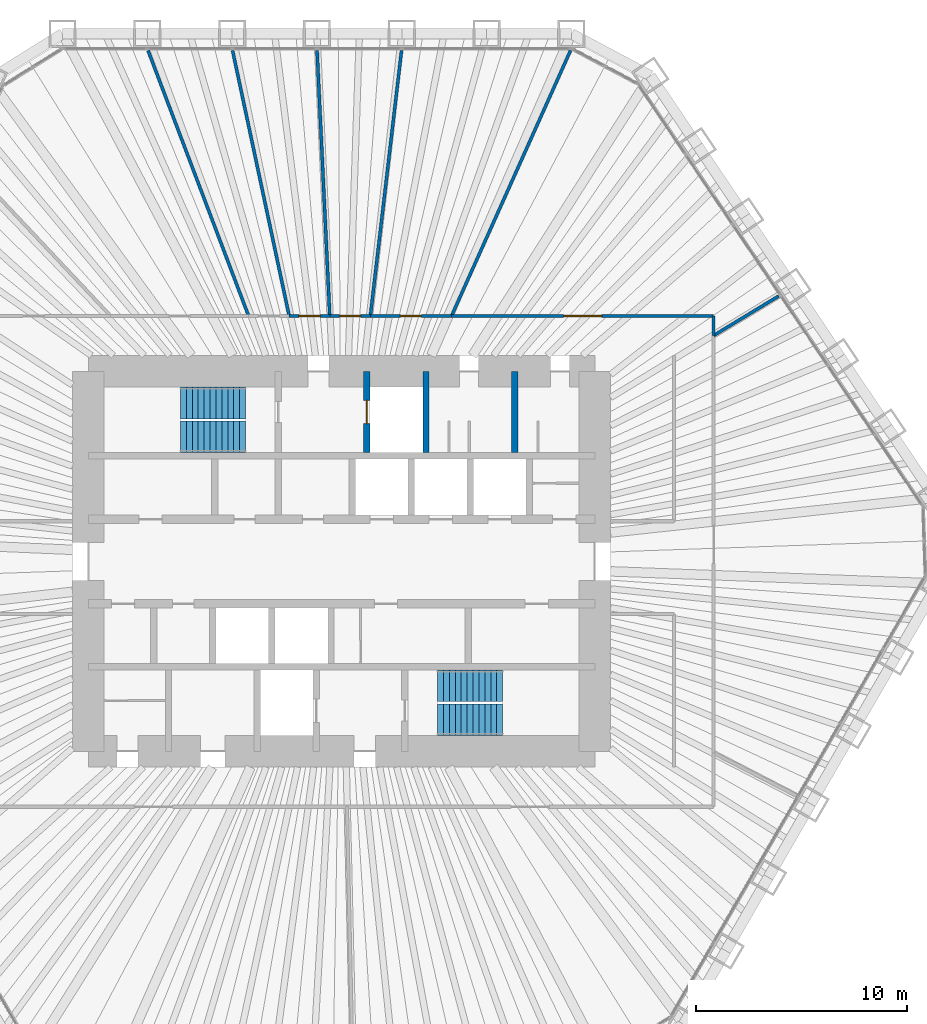
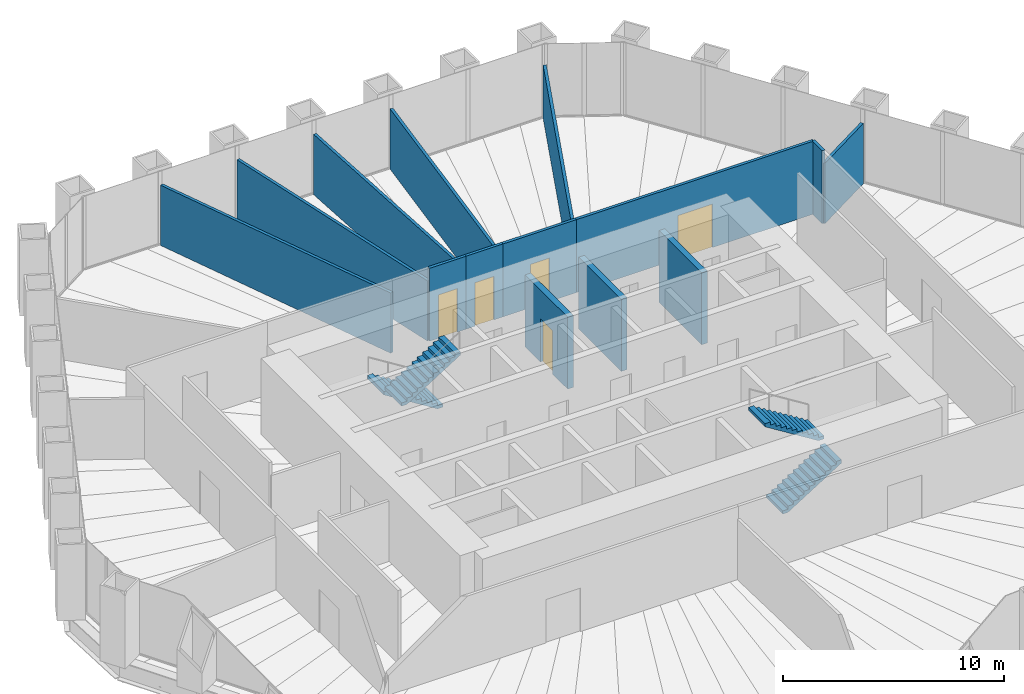
# One storey, part 12 of 13: 14 walls, 5 doors, 4 stair flights, 5 openings, 2 elements without a shape of their own.
"""IFC4 building model written with IfcOpenShell, lengths in metres."""

import ifcopenshell
import ifcopenshell.guid

model = None  # the IFC model being written
_history = None  # IfcOwnerHistory: only IFC2X3 demands one
_inside = {}  # id of a spatial element -> (the spatial element, [elements in it])
_under = {}  # id of a project, library or spatial element -> (it, [spatial elements below it])
_declared = {}  # id of a project -> (the project, [libraries it declares])
_typed = {}  # id of a type object -> (the type object, [elements of that type])
_made_of = {}  # id of a material, layer set ... -> (it, [elements and type objects made of it])


def new_model(schema):
    """Start an empty IFC model of exactly this schema.

    Asked for "IFC4X3", IfcOpenShell would pick the latest addendum, in which some entities
    have other attributes; the version numbers below select the first issue.
    IFC2X3 requires an IfcOwnerHistory on every rooted entity: one is made here for all.
    """
    global model, _history
    if schema == "IFC4X3":
        model = ifcopenshell.file(schema_version=(4, 3, 0, 0))
    else:
        model = ifcopenshell.file(schema=schema)
    _inside.clear()
    _under.clear()
    _declared.clear()
    _typed.clear()
    _made_of.clear()
    _history = None
    if model.schema == "IFC2X3":
        org = make("IfcOrganization", Name="unknown")
        user = make(
            "IfcPersonAndOrganization",
            ThePerson=make("IfcPerson", FamilyName="unknown"),
            TheOrganization=org,
        )
        app = make(
            "IfcApplication",
            ApplicationDeveloper=org,
            Version="unknown",
            ApplicationFullName="unknown",
            ApplicationIdentifier="unknown",
        )
        _history = make(
            "IfcOwnerHistory",
            OwningUser=user,
            OwningApplication=app,
            ChangeAction="ADDED",
            CreationDate=0,
        )
    return model


def make(cls, **values):
    """One entity of the class cls with the attributes given. An attribute that is None is left unset."""
    return model.create_entity(
        cls, **{name: value for name, value in values.items() if value is not None}
    )


def rooted(cls, **values):
    """An entity with a GlobalId (a new one), such as an element, a storey or a relation."""
    return make(cls, GlobalId=ifcopenshell.guid.new(), OwnerHistory=_history, **values)


def si_unit(unit_type, name, prefix=None):
    """IfcSIUnit, for example si_unit("LENGTHUNIT", "METRE", prefix="MILLI")."""
    return make("IfcSIUnit", UnitType=unit_type, Prefix=prefix, Name=name)


def assignment(units):
    """IfcUnitAssignment: the units of a project."""
    return None if units is None else make("IfcUnitAssignment", Units=units)


def point(xyz):
    """IfcCartesianPoint."""
    return None if xyz is None else make("IfcCartesianPoint", Coordinates=xyz)


def direction(xyz):
    """IfcDirection."""
    return None if xyz is None else make("IfcDirection", DirectionRatios=xyz)


def frame(location, z_axis=None, x_axis=None):
    """IfcAxis2Placement3D, a coordinate frame: its origin and axes. An axis left out is left unset."""
    return make(
        "IfcAxis2Placement3D",
        Location=point(location),
        Axis=direction(z_axis),
        RefDirection=direction(x_axis),
    )


def frame_2d(location, x_axis=None):
    """IfcAxis2Placement2D, a coordinate frame in the plane: its origin and x axis."""
    return make(
        "IfcAxis2Placement2D", Location=point(location), RefDirection=direction(x_axis)
    )


def origin():
    """The frame at (0, 0, 0) with its axes left unset."""
    return frame((0.0, 0.0, 0.0))


def place(relative_to, where):
    """IfcLocalPlacement: puts the frame where relative to a parent placement (None: the world)."""
    return make(
        "IfcLocalPlacement", PlacementRelTo=relative_to, RelativePlacement=where
    )


def context(
    kind, dimensions, precision=None, world=None, true_north=None, identifier=None
):
    """IfcGeometricRepresentationContext, for example the 3D "Model" context."""
    return make(
        "IfcGeometricRepresentationContext",
        ContextIdentifier=identifier,
        ContextType=kind,
        CoordinateSpaceDimension=dimensions,
        Precision=precision,
        WorldCoordinateSystem=world,
        TrueNorth=true_north,
    )


def subcontext(parent, identifier, kind, view, scale=None):
    """IfcGeometricRepresentationSubContext, for example "Body" below "Model"."""
    return make(
        "IfcGeometricRepresentationSubContext",
        ContextIdentifier=identifier,
        ContextType=kind,
        ParentContext=parent,
        TargetScale=scale,
        TargetView=view,
    )


def project(units=None, contexts=None):
    """IfcProject with its units and contexts."""
    return rooted(
        "IfcProject",
        Name="project",
        RepresentationContexts=contexts,
        UnitsInContext=assignment(units),
    )


def spatial(cls, under=None, at=None, **own):
    """A site, building, storey or space (cls), placed at a placement, below another one or the project."""
    s = rooted(cls, ObjectPlacement=at, **own)
    if under is not None:
        _under.setdefault(under.id(), (under, []))[1].append(s)
    return s


def polyline(points):
    """IfcPolyline through the points."""
    return make("IfcPolyline", Points=[point(p) for p in points])


def profile(cls, at=None, kind="AREA", **sizes):
    """A parametric profile (cls). Its sizes go by their IFC names, for example OverallWidth=200.0."""
    return make(cls, ProfileType=kind, Position=at, **sizes)


def rectangle(**sizes):
    """IfcRectangleProfileDef."""
    return profile("IfcRectangleProfileDef", **sizes)


def outline(outer, holes=None, kind="AREA"):
    """IfcArbitraryClosedProfileDef: a profile drawn as a closed curve; with holes, ...WithVoids."""
    if holes is None:
        return make("IfcArbitraryClosedProfileDef", ProfileType=kind, OuterCurve=outer)
    return make(
        "IfcArbitraryProfileDefWithVoids",
        ProfileType=kind,
        OuterCurve=outer,
        InnerCurves=holes,
    )


def extrude(swept, where, along, depth):
    """IfcExtrudedAreaSolid: the profile swept, set in the frame where, extruded along a direction by depth."""
    return make(
        "IfcExtrudedAreaSolid",
        SweptArea=swept,
        Position=where,
        ExtrudedDirection=direction(along),
        Depth=depth,
    )


def shape(context_of_items, identifier, shape_type, items):
    """IfcShapeRepresentation: the items that make up one representation, for example the "Body"."""
    return make(
        "IfcShapeRepresentation",
        ContextOfItems=context_of_items,
        RepresentationIdentifier=identifier,
        RepresentationType=shape_type,
        Items=items,
    )


def material(Name=None, Category=None):
    """IfcMaterial."""
    return make("IfcMaterial", Name=Name, Category=Category)


def layer(
    of_material, thickness, ventilated=None, Name=None, Category=None, Priority=None
):
    """IfcMaterialLayer: one layer of a wall or slab, of a material (None: an air gap)."""
    return make(
        "IfcMaterialLayer",
        Material=of_material,
        LayerThickness=thickness,
        IsVentilated=ventilated,
        Name=Name,
        Category=Category,
        Priority=Priority,
    )


def layer_set(layers, Name=None):
    """IfcMaterialLayerSet."""
    return make("IfcMaterialLayerSet", MaterialLayers=layers, LayerSetName=Name)


def made_of(thing, what):
    """Note that an element or type object is made of a material, layer set ...; save() writes the relation."""
    if what is not None:
        _made_of.setdefault(what.id(), (what, []))[1].append(thing)
    return thing


def type_object(cls, material=None, **own):
    """A type object (cls), such as IfcWallType, which elements share."""
    return made_of(rooted(cls, **own), material)


def element(
    cls,
    number,
    at=None,
    inside=None,
    cuts=None,
    type_object=None,
    material=None,
    context=None,
    identifier="Body",
    shape_type=None,
    held_by="IfcProductDefinitionShape",
    body=None,
    shapes=None,
    **own,
):
    """One element of the class cls, such as IfcWall. Its Tag is "e" and its number.

    at: its placement. inside: the storey or other place that contains it. cuts: it is an
    opening in that element (IfcRelVoidsElement). A single representation is given by context,
    identifier, shape_type and body (its items); several are given by shapes. held_by: the class
    of the entity that holds the representations. save() writes the other relations.
    """
    e = rooted(cls, Tag="e%d" % number, ObjectPlacement=at, **own)
    if body is not None:
        shapes = [shape(context, identifier, shape_type, body)]
    if shapes is not None:
        e.Representation = make(held_by, Representations=shapes)
    if inside is not None:
        _inside.setdefault(inside.id(), (inside, []))[1].append(e)
    if cuts is not None:
        rooted(
            "IfcRelVoidsElement", RelatingBuildingElement=cuts, RelatedOpeningElement=e
        )
    if type_object is not None:
        _typed.setdefault(type_object.id(), (type_object, []))[1].append(e)
    return made_of(e, material)


def fill(opening, filler):
    """IfcRelFillsElement: the door or window that sits in an opening."""
    return rooted(
        "IfcRelFillsElement",
        RelatingOpeningElement=opening,
        RelatedBuildingElement=filler,
    )


def aggregate(whole, parts):
    """IfcRelAggregates: a whole, such as a stair, and the parts it consists of."""
    return rooted("IfcRelAggregates", RelatingObject=whole, RelatedObjects=parts)


def save(model, path):
    """Write the relations noted so far, then the file.

    IfcRelAggregates (storeys below a building ...), IfcRelContainedInSpatialStructure (elements
    in a storey), IfcRelDefinesByType, IfcRelAssociatesMaterial and IfcRelDeclares: one each for
    every whole, place, type object, material and project.
    """
    for whole, parts in _under.values():
        aggregate(whole, parts)
    for where, things in _inside.values():
        rooted(
            "IfcRelContainedInSpatialStructure",
            RelatedElements=things,
            RelatingStructure=where,
        )
    for kind, things in _typed.values():
        rooted("IfcRelDefinesByType", RelatedObjects=things, RelatingType=kind)
    for what, things in _made_of.values():
        rooted("IfcRelAssociatesMaterial", RelatedObjects=things, RelatingMaterial=what)
    for by, libraries in _declared.values():
        rooted("IfcRelDeclares", RelatingContext=by, RelatedDefinitions=libraries)
    model.write(path)


model = new_model("IFC4")

# Units and contexts
model_context = context("Model", 3, precision=1e-05, world=origin(), true_north=direction((0.0, 1.0)))
body_context = subcontext(model_context, "Body", "Model", "MODEL_VIEW")
ifc_project = project(units=[si_unit("LENGTHUNIT", "METRE"), si_unit("AREAUNIT", "SQUARE_METRE"), si_unit("VOLUMEUNIT", "CUBIC_METRE"), si_unit("PLANEANGLEUNIT", "RADIAN"), si_unit("MASSUNIT", "GRAM", prefix="KILO")], contexts=[model_context])

# Site, building, storey
site_placement = place(None, origin())
site = spatial("IfcSite", under=ifc_project, at=site_placement, CompositionType="ELEMENT")
building_placement = place(site_placement, origin())
building = spatial("IfcBuilding", under=site, at=building_placement, Name="Qingtian Harvest Tower", CompositionType="ELEMENT")
storey_placement = place(building_placement, frame((0.0, 0.0, 136.60009765625)))
storey = spatial("IfcBuildingStorey", under=building, at=storey_placement, Name="L28", CompositionType="ELEMENT", Elevation=136.60009765625)

# Wall, opening, door
ifc_material_1 = material(Name="Precast concrete shaft panel", Category="concrete")
ifc_layer_1 = layer(ifc_material_1, 0.300048828125)
ifc_layer_set_1 = layer_set([ifc_layer_1], Name="Core shaft partition SW1 300")
wall_type_1 = type_object("IfcWallType", Name="Core shaft partition SW1 300", PredefinedType="PARTITIONING", material=ifc_layer_set_1)
wall_1_placement = place(storey_placement, frame((1.199951171875, 5.14990234375, 0.0), z_axis=(0.0, 0.0, 1.0), x_axis=(0.0, 1.0, 0.0)))
wall_1 = element("IfcWall", 1, at=wall_1_placement, inside=storey, type_object=wall_type_1, Name="Core shaft partition XN2 L28", PredefinedType="PARTITIONING", context=body_context, shape_type="SweptSolid", body=[
    extrude(rectangle(XDim=3.85009765625, YDim=0.300048828125, at=frame_2d((1.925048828125, 0.0))), origin(), (0.0, 0.0, 1.0), 3.97998046875),
])
opening_1_placement = place(wall_1_placement, frame((1.375, 0.0, 0.0)))
opening_1 = element("IfcOpeningElement", 2, at=opening_1_placement, cuts=wall_1, Name="Opening LD1", PredefinedType="OPENING", context=body_context, shape_type="SweptSolid", body=[
    extrude(rectangle(XDim=1.10009765625, YDim=2.39990234375, at=frame_2d((0.550048828125, 1.199951171875))), frame((0.0, 0.159912109375, 0.0), z_axis=(0.0, -1.0, 0.0), x_axis=(1.0, 0.0, 0.0)), (0.0, 0.0, 1.0), 0.320068359375),
])
ifc_material_2 = material(Name="Stainless steel lift landing door", Category="steel")
door_type_1 = type_object("IfcDoorType", Name="Lift landing door LD1 1 HR", OperationType="DOUBLE_DOOR_SLIDING", PredefinedType="DOOR", material=ifc_material_2)
door_1_placement = place(opening_1_placement, origin())
door_1 = element("IfcDoor", 3, at=door_1_placement, inside=storey, type_object=door_type_1, Name="FL1 landing door L28", OperationType="DOUBLE_DOOR_SLIDING", OverallHeight=2.39990234375, OverallWidth=1.10009765625, PredefinedType="DOOR", context=body_context, shape_type="SweptSolid", body=[
    extrude(rectangle(XDim=1.10009765625, YDim=2.39990234375, at=frame_2d((0.550048828125, 1.199951171875))), frame((0.0, 0.02490234375, 0.0), z_axis=(0.0, -1.0, 0.0), x_axis=(1.0, 0.0, 0.0)), (0.0, 0.0, 1.0), 0.050048828125),
])
fill(opening_1, door_1)

# Walls
for number, where, z_axis, x_axis, name in (
    (4, (4.0, 5.14990234375, 0.0), (0.0, 0.0, 1.0), (0.0, 1.0, 0.0), "Core shaft partition XN3 L28"),
    (5, (8.199951171875, 5.14990234375, 0.0), (0.0, 0.0, 1.0), (0.0, 1.0, 0.0), "Core shaft partition XN4 L28"),
):
    element("IfcWall", number, at=place(storey_placement, frame(where, z_axis=z_axis, x_axis=x_axis)), inside=storey, type_object=wall_type_1, Name=name, PredefinedType="PARTITIONING", context=body_context, shape_type="SweptSolid", body=[
        extrude(rectangle(XDim=3.85009765625, YDim=0.300048828125, at=frame_2d((1.925048828125, 0.0))), origin(), (0.0, 0.0, 1.0), 3.97998046875),
    ])
ifc_material_3 = material(Name="Gypsum board on steel studs", Category="steel")
ifc_layer_2 = layer(ifc_material_3, 0.14990234375)
ifc_layer_set_2 = layer_set([ifc_layer_2], Name="Partition PT1 150")
wall_type_2 = type_object("IfcWallType", Name="Partition PT1 150", PredefinedType="PARTITIONING", material=ifc_layer_set_2)
wall_2_placement = place(storey_placement, frame((20.71142578125, 12.571044921875, 0.0), z_axis=(0.0, 0.0, 1.0), x_axis=(-0.854862500505, -0.518854608952, 0.0)))
element("IfcWall", 6, at=wall_2_placement, inside=storey, type_object=wall_type_2, Name="Office suite wall L28", PredefinedType="PARTITIONING", context=body_context, shape_type="SweptSolid", body=[
    extrude(rectangle(XDim=3.6103515625, YDim=0.14990234375, at=frame_2d((1.80517578125, 0.0))), origin(), (0.0, 0.0, 1.0), 3.329833984375),
])
wall_3_placement = place(storey_placement, frame((-9.167236328125, 24.20654296875, 0.0), z_axis=(0.0, 0.0, 1.0), x_axis=(0.354156368181, -0.935186220427, 0.0)))
element("IfcWall", 7, at=wall_3_placement, inside=storey, type_object=wall_type_2, Name="Print room wall L28", PredefinedType="PARTITIONING", context=body_context, shape_type="SweptSolid", body=[
    extrude(rectangle(XDim=13.45361328125, YDim=0.14990234375, at=frame_2d((6.726806640625, 0.0))), origin(), (0.0, 0.0, 1.0), 3.329833984375),
])
wall_4_placement = place(storey_placement, frame((-5.16259765625, 24.2021484375, 0.0), z_axis=(0.0, 0.0, 1.0), x_axis=(0.208618861146, -0.977997019819, 0.0)))
element("IfcWall", 8, at=wall_4_placement, inside=storey, type_object=wall_type_2, Name="Store room wall L28", PredefinedType="PARTITIONING", context=body_context, shape_type="SweptSolid", body=[
    extrude(rectangle(XDim=12.860107421875, YDim=0.14990234375, at=frame_2d((6.43017578125, 0.0))), origin(), (0.0, 0.0, 1.0), 3.329833984375),
])

# Wall, opening, door
wall_5_placement = place(storey_placement, frame((-2.479736328125, 11.625, 0.0), z_axis=(0.0, 0.0, 1.0), x_axis=(1.0, 0.0, 0.0)))
wall_5 = element("IfcWall", 9, at=wall_5_placement, inside=storey, type_object=wall_type_2, Name="Store room wall L28", PredefinedType="PARTITIONING", context=body_context, shape_type="SweptSolid", body=[
    extrude(rectangle(XDim=1.922607421875, YDim=0.14990234375, at=frame_2d((0.96142578125, 0.0))), origin(), (0.0, 0.0, 1.0), 4.02978515625),
])
opening_2_placement = place(wall_5_placement, frame((0.46142578125, 0.0, 0.0)))
opening_2 = element("IfcOpeningElement", 10, at=opening_2_placement, cuts=wall_5, Name="Opening D2", PredefinedType="OPENING", context=body_context, shape_type="SweptSolid", body=[
    extrude(rectangle(XDim=1.0, YDim=2.39990234375, at=frame_2d((0.5, 1.199951171875))), frame((0.0, 0.0849609375, 0.0), z_axis=(0.0, -1.0, 0.0), x_axis=(1.0, 0.0, 0.0)), (0.0, 0.0, 1.0), 0.169921875),
])
ifc_material_4 = material(Name="Laminated timber door leaf", Category="wood")
door_type_2 = type_object("IfcDoorType", Name="Room door D2 single", OperationType="SINGLE_SWING_LEFT", PredefinedType="DOOR", material=ifc_material_4)
door_2_placement = place(opening_2_placement, origin())
door_2 = element("IfcDoor", 11, at=door_2_placement, inside=storey, type_object=door_type_2, Name="Store room door L28", OperationType="SINGLE_SWING_LEFT", OverallHeight=2.39990234375, OverallWidth=1.0, PredefinedType="DOOR", context=body_context, shape_type="SweptSolid", body=[
    extrude(rectangle(XDim=1.0, YDim=2.39990234375, at=frame_2d((0.5, 1.199951171875))), frame((0.0, 0.02490234375, 0.0), z_axis=(0.0, -1.0, 0.0), x_axis=(1.0, 0.0, 0.0)), (0.0, 0.0, 1.0), 0.050048828125),
])
fill(opening_2, door_2)

# Wall
wall_6_placement = place(storey_placement, frame((-1.15966796875, 24.2001953125, 0.0), z_axis=(0.0, 0.0, 1.0), x_axis=(0.047859979164, -0.998854054602, 0.0)))
element("IfcWall", 12, at=wall_6_placement, inside=storey, type_object=wall_type_2, Name="Focus room wall L28", PredefinedType="PARTITIONING", context=body_context, shape_type="SweptSolid", body=[
    extrude(rectangle(XDim=12.589599609375, YDim=0.14990234375, at=frame_2d((6.294921875, 0.0))), origin(), (0.0, 0.0, 1.0), 3.329833984375),
])

# Wall, opening, door
wall_7_placement = place(storey_placement, frame((-0.55712890625, 11.625, 0.0), z_axis=(0.0, 0.0, 1.0), x_axis=(1.0, 0.0, 0.0)))
wall_7 = element("IfcWall", 13, at=wall_7_placement, inside=storey, type_object=wall_type_2, Name="Focus room wall L28", PredefinedType="PARTITIONING", context=body_context, shape_type="SweptSolid", body=[
    extrude(rectangle(XDim=1.9228515625, YDim=0.14990234375, at=frame_2d((0.96142578125, 0.0))), origin(), (0.0, 0.0, 1.0), 4.02978515625),
])
opening_3_placement = place(wall_7_placement, frame((0.46142578125, 0.0, 0.0)))
opening_3 = element("IfcOpeningElement", 14, at=opening_3_placement, cuts=wall_7, Name="Opening D2", PredefinedType="OPENING", context=body_context, shape_type="SweptSolid", body=[
    extrude(rectangle(XDim=1.0, YDim=2.39990234375, at=frame_2d((0.5, 1.199951171875))), frame((0.0, 0.0849609375, 0.0), z_axis=(0.0, -1.0, 0.0), x_axis=(1.0, 0.0, 0.0)), (0.0, 0.0, 1.0), 0.169921875),
])
door_3_placement = place(opening_3_placement, origin())
door_3 = element("IfcDoor", 15, at=door_3_placement, inside=storey, type_object=door_type_2, Name="Focus room door L28", OperationType="SINGLE_SWING_LEFT", OverallHeight=2.39990234375, OverallWidth=1.0, PredefinedType="DOOR", context=body_context, shape_type="SweptSolid", body=[
    extrude(rectangle(XDim=1.0, YDim=2.39990234375, at=frame_2d((0.5, 1.199951171875))), frame((0.0, 0.02490234375, 0.0), z_axis=(0.0, -1.0, 0.0), x_axis=(1.0, 0.0, 0.0)), (0.0, 0.0, 1.0), 0.050048828125),
])
fill(opening_3, door_3)

# Wall
wall_8_placement = place(storey_placement, frame((2.843017578125, 24.20068359375, 0.0), z_axis=(0.0, 0.0, 1.0), x_axis=(-0.116670084723, -0.993170726175, 0.0)))
element("IfcWall", 16, at=wall_8_placement, inside=storey, type_object=wall_type_2, Name="Office suite wall L28", PredefinedType="PARTITIONING", context=body_context, shape_type="SweptSolid", body=[
    extrude(rectangle(XDim=12.662109375, YDim=0.14990234375, at=frame_2d((6.3310546875, 0.0))), origin(), (0.0, 0.0, 1.0), 3.329833984375),
])

# Wall, opening, door
wall_9_placement = place(storey_placement, frame((1.36572265625, 11.625, 0.0), z_axis=(0.0, 0.0, 1.0), x_axis=(1.0, 0.0, 0.0)))
wall_9 = element("IfcWall", 17, at=wall_9_placement, inside=storey, type_object=wall_type_2, Name="Office suite wall L28", PredefinedType="PARTITIONING", context=body_context, shape_type="SweptSolid", body=[
    extrude(rectangle(XDim=3.84521484375, YDim=0.14990234375, at=frame_2d((1.922607421875, 0.0))), origin(), (0.0, 0.0, 1.0), 4.02978515625),
])
opening_4_placement = place(wall_9_placement, frame((1.422607421875, 0.0, 0.0)))
opening_4 = element("IfcOpeningElement", 18, at=opening_4_placement, cuts=wall_9, Name="Opening D2", PredefinedType="OPENING", context=body_context, shape_type="SweptSolid", body=[
    extrude(rectangle(XDim=1.0, YDim=2.39990234375, at=frame_2d((0.5, 1.199951171875))), frame((0.0, 0.0849609375, 0.0), z_axis=(0.0, -1.0, 0.0), x_axis=(1.0, 0.0, 0.0)), (0.0, 0.0, 1.0), 0.169921875),
])
door_4_placement = place(opening_4_placement, origin())
door_4 = element("IfcDoor", 19, at=door_4_placement, inside=storey, type_object=door_type_2, Name="Office suite door L28", OperationType="SINGLE_SWING_LEFT", OverallHeight=2.39990234375, OverallWidth=1.0, PredefinedType="DOOR", context=body_context, shape_type="SweptSolid", body=[
    extrude(rectangle(XDim=1.0, YDim=2.39990234375, at=frame_2d((0.5, 1.199951171875))), frame((0.0, 0.02490234375, 0.0), z_axis=(0.0, -1.0, 0.0), x_axis=(1.0, 0.0, 0.0)), (0.0, 0.0, 1.0), 0.050048828125),
])
fill(opening_4, door_4)

# Wall
wall_10_placement = place(storey_placement, frame((10.851806640625, 24.208740234375, 0.0), z_axis=(0.0, 0.0, 1.0), x_axis=(-0.40904878746, -0.912512514696, 0.0)))
element("IfcWall", 20, at=wall_10_placement, inside=storey, type_object=wall_type_2, Name="Meeting room wall L28", PredefinedType="PARTITIONING", context=body_context, shape_type="SweptSolid", body=[
    extrude(rectangle(XDim=13.790283203125, YDim=0.14990234375, at=frame_2d((6.89501953125, 0.0))), origin(), (0.0, 0.0, 1.0), 2.929931640625),
])

# Wall, opening, door
wall_11_placement = place(storey_placement, frame((5.2109375, 11.625, 0.0), z_axis=(0.0, 0.0, 1.0), x_axis=(1.0, 0.0, 0.0)))
wall_11 = element("IfcWall", 21, at=wall_11_placement, inside=storey, type_object=wall_type_2, Name="Meeting room wall L28", PredefinedType="PARTITIONING", context=body_context, shape_type="SweptSolid", body=[
    extrude(rectangle(XDim=12.4140625, YDim=0.14990234375, at=frame_2d((6.20703125, 0.0))), origin(), (0.0, 0.0, 1.0), 4.02978515625),
])
opening_5_placement = place(wall_11_placement, frame((5.306884765625, 0.0, 0.0)))
opening_5 = element("IfcOpeningElement", 22, at=opening_5_placement, cuts=wall_11, Name="Opening D3", PredefinedType="OPENING", context=body_context, shape_type="SweptSolid", body=[
    extrude(rectangle(XDim=1.800048828125, YDim=2.39990234375, at=frame_2d((0.89990234375, 1.199951171875))), frame((0.0, 0.0849609375, 0.0), z_axis=(0.0, -1.0, 0.0), x_axis=(1.0, 0.0, 0.0)), (0.0, 0.0, 1.0), 0.169921875),
])
ifc_material_5 = material(Name="Laminated timber door leaf", Category="wood")
door_type_3 = type_object("IfcDoorType", Name="Room door D3 double", OperationType="DOUBLE_DOOR_DOUBLE_SWING", PredefinedType="DOOR", material=ifc_material_5)
door_5_placement = place(opening_5_placement, origin())
door_5 = element("IfcDoor", 23, at=door_5_placement, inside=storey, type_object=door_type_3, Name="Meeting room door L28", OperationType="DOUBLE_DOOR_DOUBLE_SWING", OverallHeight=2.39990234375, OverallWidth=1.800048828125, PredefinedType="DOOR", context=body_context, shape_type="SweptSolid", body=[
    extrude(rectangle(XDim=1.800048828125, YDim=2.39990234375, at=frame_2d((0.89990234375, 1.199951171875))), frame((0.0, 0.02490234375, 0.0), z_axis=(0.0, -1.0, 0.0), x_axis=(1.0, 0.0, 0.0)), (0.0, 0.0, 1.0), 0.050048828125),
])
fill(opening_5, door_5)

# Wall
wall_12_placement = place(storey_placement, frame((17.625, 11.625, 0.0), z_axis=(0.0, 0.0, 1.0), x_axis=(0.0, -1.0, 0.0)))
element("IfcWall", 24, at=wall_12_placement, inside=storey, type_object=wall_type_2, Name="Meeting room wall L28", PredefinedType="PARTITIONING", context=body_context, shape_type="SweptSolid", body=[
    extrude(rectangle(XDim=0.92724609375, YDim=0.14990234375, at=frame_2d((0.463623046875, 0.0))), origin(), (0.0, 0.0, 1.0), 4.02978515625),
])

# Stair, stair flights
ifc_material_6 = material(Name="Concrete fc' 35 MPa", Category="concrete")
stair_type = type_object("IfcStairType", Name="Special stair ST3 4200", PredefinedType="HALF_TURN_STAIR", material=ifc_material_6)
stair_1_placement = place(storey_placement, origin())
stair_1 = element("IfcStair", 25, at=stair_1_placement, inside=storey, type_object=stair_type, Name="Special stair S1 L28", PredefinedType="HALF_TURN_STAIR")
ifc_material_7 = material(Name="Concrete fc' 35 MPa", Category="concrete")
stair_flight_type = type_object("IfcStairFlightType", Name="Stair flight SF3 4200", PredefinedType="STRAIGHT", material=ifc_material_7)
stair_flight_1_placement = place(storey_placement, frame((-4.550048828125, 7.5, 0.0), z_axis=(0.0, 0.0, 1.0), x_axis=(-1.0, 0.0, 0.0)))
stair_flight_1 = element("IfcStairFlight", 26, at=stair_flight_1_placement, type_object=stair_flight_type, Name="S1 flight 1", NumberOfRisers=12, NumberOfTreads=11, PredefinedType="STRAIGHT", RiserHeight=0.175, TreadLength=0.28, context=body_context, shape_type="SweptSolid", body=[
    extrude(outline(polyline([(0.0, 0.0), (0.0, 0.175048828125), (0.280029296875, 0.175048828125), (0.280029296875, 0.35009765625), (0.56005859375, 0.35009765625), (0.56005859375, 0.52490234375), (0.840087890625, 0.52490234375), (0.840087890625, 0.699951171875), (1.1201171875, 0.699951171875), (1.1201171875, 0.875), (1.39990234375, 0.875), (1.39990234375, 1.050048828125), (1.679931640625, 1.050048828125), (1.679931640625, 1.22509765625), (1.9599609375, 1.22509765625), (1.9599609375, 1.39990234375), (2.239990234375, 1.39990234375), (2.239990234375, 1.574951171875), (2.52001953125, 1.574951171875), (2.52001953125, 1.75), (2.800048828125, 1.75), (2.800048828125, 1.925048828125), (3.080078125, 1.925048828125), (3.080078125, 2.10009765625), (3.080078125, 1.748291015625), (0.28271484375, 0.0), (0.0, 0.0)])), frame((0.0, 0.75, 0.0), z_axis=(0.0, -1.0, 0.0), x_axis=(1.0, 0.0, 0.0)), (0.0, 0.0, 1.0), 1.5),
])
stair_flight_2_placement = place(storey_placement, frame((-7.6298828125, 5.89990234375, 2.099853515625), z_axis=(0.0, 0.0, 1.0), x_axis=(1.0, 0.0, 0.0)))
stair_flight_2 = element("IfcStairFlight", 27, at=stair_flight_2_placement, type_object=stair_flight_type, Name="S1 flight 2", NumberOfRisers=12, NumberOfTreads=11, PredefinedType="STRAIGHT", RiserHeight=0.175, TreadLength=0.28, context=body_context, shape_type="SweptSolid", body=[
    extrude(outline(polyline([(0.0, 0.0), (0.0, 0.175048828125), (0.280029296875, 0.175048828125), (0.280029296875, 0.35009765625), (0.56005859375, 0.35009765625), (0.56005859375, 0.52490234375), (0.840087890625, 0.52490234375), (0.840087890625, 0.699951171875), (1.1201171875, 0.699951171875), (1.1201171875, 0.875), (1.39990234375, 0.875), (1.39990234375, 1.050048828125), (1.679931640625, 1.050048828125), (1.679931640625, 1.22509765625), (1.9599609375, 1.22509765625), (1.9599609375, 1.39990234375), (2.239990234375, 1.39990234375), (2.239990234375, 1.574951171875), (2.52001953125, 1.574951171875), (2.52001953125, 1.75), (2.800048828125, 1.75), (2.800048828125, 1.925048828125), (3.080078125, 1.925048828125), (3.080078125, 2.10009765625), (3.080078125, 1.748291015625), (0.28271484375, 0.0), (0.0, 0.0)])), frame((0.0, 0.75, 0.0), z_axis=(0.0, -1.0, 0.0), x_axis=(1.0, 0.0, 0.0)), (0.0, 0.0, 1.0), 1.5),
])
aggregate(stair_1, [stair_flight_1, stair_flight_2])

stair_2_placement = place(storey_placement, origin())
stair_2 = element("IfcStair", 28, at=stair_2_placement, inside=storey, type_object=stair_type, Name="Special stair S2 L28", PredefinedType="HALF_TURN_STAIR")
stair_flight_3_placement = place(storey_placement, frame((4.550048828125, -7.5, 0.0), z_axis=(0.0, 0.0, 1.0), x_axis=(1.0, 0.0, 0.0)))
stair_flight_3 = element("IfcStairFlight", 29, at=stair_flight_3_placement, type_object=stair_flight_type, Name="S2 flight 1", NumberOfRisers=12, NumberOfTreads=11, PredefinedType="STRAIGHT", RiserHeight=0.175, TreadLength=0.28, context=body_context, shape_type="SweptSolid", body=[
    extrude(outline(polyline([(0.0, 0.0), (0.0, 0.175048828125), (0.280029296875, 0.175048828125), (0.280029296875, 0.35009765625), (0.56005859375, 0.35009765625), (0.56005859375, 0.52490234375), (0.840087890625, 0.52490234375), (0.840087890625, 0.699951171875), (1.1201171875, 0.699951171875), (1.1201171875, 0.875), (1.39990234375, 0.875), (1.39990234375, 1.050048828125), (1.679931640625, 1.050048828125), (1.679931640625, 1.22509765625), (1.9599609375, 1.22509765625), (1.9599609375, 1.39990234375), (2.239990234375, 1.39990234375), (2.239990234375, 1.574951171875), (2.52001953125, 1.574951171875), (2.52001953125, 1.75), (2.800048828125, 1.75), (2.800048828125, 1.925048828125), (3.080078125, 1.925048828125), (3.080078125, 2.10009765625), (3.080078125, 1.748291015625), (0.28271484375, 0.0), (0.0, 0.0)])), frame((0.0, 0.75, 0.0), z_axis=(0.0, -1.0, 0.0), x_axis=(1.0, 0.0, 0.0)), (0.0, 0.0, 1.0), 1.5),
])
stair_flight_4_placement = place(storey_placement, frame((7.6298828125, -5.89990234375, 2.099853515625), z_axis=(0.0, 0.0, 1.0), x_axis=(-1.0, 0.0, 0.0)))
stair_flight_4 = element("IfcStairFlight", 30, at=stair_flight_4_placement, type_object=stair_flight_type, Name="S2 flight 2", NumberOfRisers=12, NumberOfTreads=11, PredefinedType="STRAIGHT", RiserHeight=0.175, TreadLength=0.28, context=body_context, shape_type="SweptSolid", body=[
    extrude(outline(polyline([(0.0, 0.0), (0.0, 0.175048828125), (0.280029296875, 0.175048828125), (0.280029296875, 0.35009765625), (0.56005859375, 0.35009765625), (0.56005859375, 0.52490234375), (0.840087890625, 0.52490234375), (0.840087890625, 0.699951171875), (1.1201171875, 0.699951171875), (1.1201171875, 0.875), (1.39990234375, 0.875), (1.39990234375, 1.050048828125), (1.679931640625, 1.050048828125), (1.679931640625, 1.22509765625), (1.9599609375, 1.22509765625), (1.9599609375, 1.39990234375), (2.239990234375, 1.39990234375), (2.239990234375, 1.574951171875), (2.52001953125, 1.574951171875), (2.52001953125, 1.75), (2.800048828125, 1.75), (2.800048828125, 1.925048828125), (3.080078125, 1.925048828125), (3.080078125, 2.10009765625), (3.080078125, 1.748291015625), (0.28271484375, 0.0), (0.0, 0.0)])), frame((0.0, 0.75, 0.0), z_axis=(0.0, -1.0, 0.0), x_axis=(1.0, 0.0, 0.0)), (0.0, 0.0, 1.0), 1.5),
])
aggregate(stair_2, [stair_flight_3, stair_flight_4])

save(model, "model.ifc")
